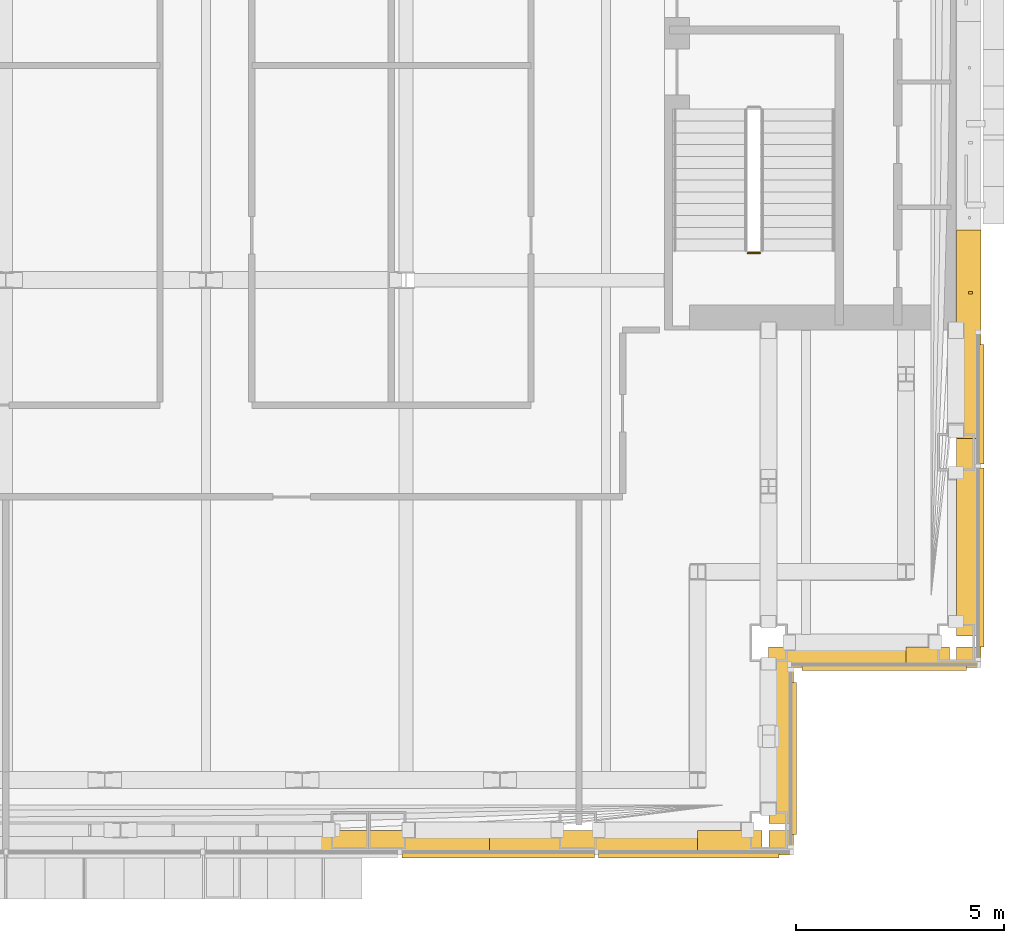
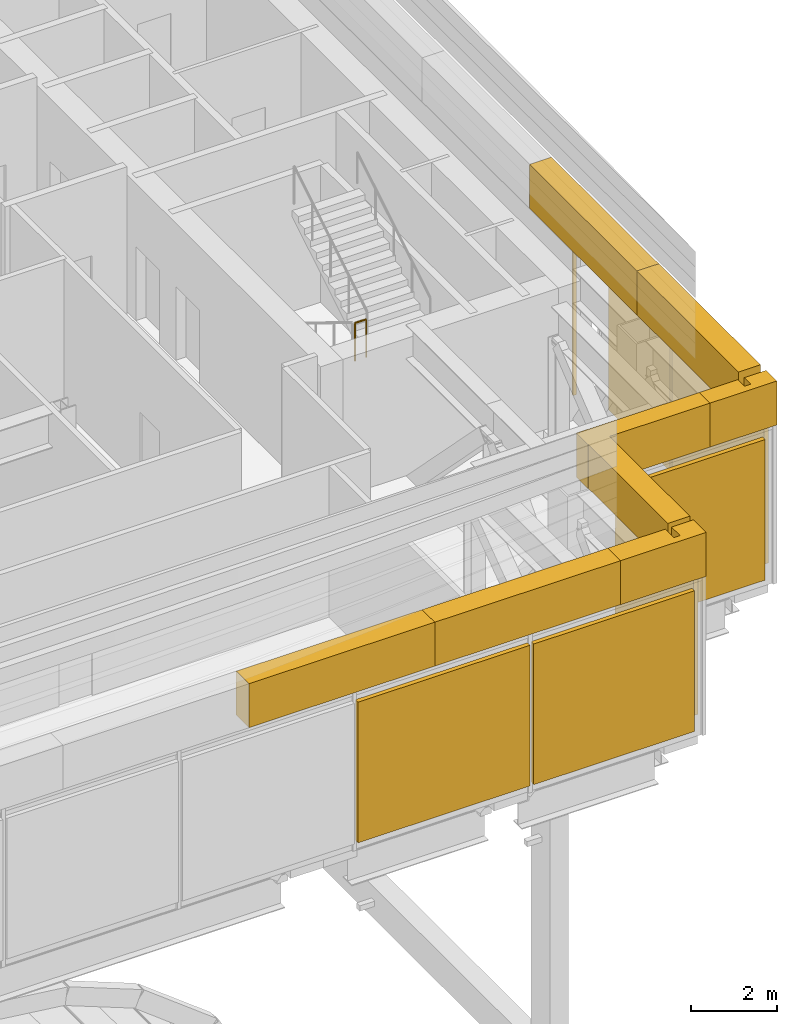
# One storey, part 26 of 38: 14 coverings, 1 railing.
"""IFC4 building model written with IfcOpenShell, lengths in metres."""

from ifc_helpers import new_model, si_unit, direction, frame, origin, origin_2d, place, context, subcontext, project, spatial, polyline, rectangle, circle, outline, extrude, material, type_object, element, save


model = new_model("IFC4")

# Units and contexts
model_context = context("Model", 3, precision=1e-05, world=origin(), true_north=direction((0.0, 1.0)))
body_context = subcontext(model_context, "Body", "Model", "MODEL_VIEW")
ifc_project = project(units=[si_unit("LENGTHUNIT", "METRE"), si_unit("AREAUNIT", "SQUARE_METRE"), si_unit("VOLUMEUNIT", "CUBIC_METRE"), si_unit("PLANEANGLEUNIT", "RADIAN"), si_unit("MASSUNIT", "GRAM", prefix="KILO")], contexts=[model_context])

# Site, building, storey
site_placement = place(None, origin())
site = spatial("IfcSite", under=ifc_project, at=site_placement, CompositionType="ELEMENT")
building_placement = place(site_placement, origin())
building = spatial("IfcBuilding", under=site, at=building_placement, Name="Cobrizo Arcos Hotel Tower", CompositionType="ELEMENT")
storey_placement = place(building_placement, frame((0.0, 0.0, 138.0)))
storey = spatial("IfcBuildingStorey", under=building, at=storey_placement, Name="L35", CompositionType="ELEMENT", Elevation=138.0)

# Coverings
ifc_material_1 = material(Name="Aluminium 6063-T6 anodised pale", Category="aluminium")
covering_type_1 = type_object("IfcCoveringType", Name="LF-1 setback skirt", PredefinedType="CLADDING", material=ifc_material_1)
covering_1_placement = place(storey_placement, frame((0.0, 0.0, 4.5)))
element("IfcCovering", 1, at=covering_1_placement, inside=storey, type_object=covering_type_1, Name="Setback skirt L35", PredefinedType="CLADDING", context=body_context, shape_type="SweptSolid", body=[
    extrude(outline(polyline([(11.60009765625, -22.81005859375), (6.60009765625, -22.81005859375), (6.60009765625, -23.39990234375), (11.60009765625, -23.39990234375), (11.60009765625, -22.81005859375)])), origin(), (0.0, 0.0, 1.0), 1.25),
])
covering_2_placement = place(storey_placement, frame((0.0, 0.0, 4.5)))
element("IfcCovering", 2, at=covering_2_placement, inside=storey, type_object=covering_type_1, Name="Setback skirt L35", PredefinedType="CLADDING", context=body_context, shape_type="SweptSolid", body=[
    extrude(outline(polyline([(16.60009765625, -22.81005859375), (11.60009765625, -22.81005859375), (11.60009765625, -23.39990234375), (16.60009765625, -23.39990234375), (16.60009765625, -22.81005859375)])), origin(), (0.0, 0.0, 1.0), 1.25),
])
covering_3_placement = place(storey_placement, frame((0.0, 0.0, 4.5)))
element("IfcCovering", 3, at=covering_3_placement, inside=storey, type_object=covering_type_1, Name="Setback skirt L35", PredefinedType="CLADDING", context=body_context, shape_type="SweptSolid", body=[
    extrude(outline(polyline([(18.300048828125, -18.39990234375), (18.300048828125, -18.93310546875), (18.308349609375, -18.9443359375), (18.308837890625, -18.9453125), (18.30908203125, -18.9462890625), (18.3095703125, -18.947021484375), (18.309814453125, -18.947998046875), (18.31005859375, -18.948974609375), (18.31005859375, -18.949951171875), (18.31005859375, -22.639892578125), (18.89990234375, -22.639892578125), (18.89990234375, -18.89990234375), (21.60009765625, -18.89990234375), (21.60009765625, -18.39990234375), (18.300048828125, -18.39990234375)])), origin(), (0.0, 0.0, 1.0), 1.25),
])
covering_4_placement = place(storey_placement, frame((0.0, 0.0, 4.5)))
element("IfcCovering", 4, at=covering_4_placement, inside=storey, type_object=covering_type_1, Name="Setback skirt L35", PredefinedType="CLADDING", context=body_context, shape_type="SweptSolid", body=[
    extrude(outline(polyline([(18.139892578125, -22.81005859375), (16.60009765625, -22.81005859375), (16.60009765625, -23.39990234375), (18.89990234375, -23.39990234375), (18.89990234375, -22.81005859375), (18.31005859375, -22.81005859375), (18.31005859375, -23.199951171875), (18.31005859375, -23.200927734375), (18.309814453125, -23.201904296875), (18.3095703125, -23.202880859375), (18.30908203125, -23.203857421875), (18.308837890625, -23.20458984375), (18.308349609375, -23.20556640625), (18.3076171875, -23.206298828125), (18.30712890625, -23.20703125), (18.306396484375, -23.207763671875), (18.3056640625, -23.208251953125), (18.3046875, -23.208740234375), (18.3037109375, -23.209228515625), (18.302978515625, -23.209716796875), (18.302001953125, -23.209716796875), (18.301025390625, -23.2099609375), (18.300048828125, -23.2099609375), (18.14990234375, -23.2099609375), (18.14892578125, -23.2099609375), (18.14794921875, -23.209716796875), (18.147216796875, -23.209716796875), (18.146240234375, -23.209228515625), (18.145263671875, -23.208740234375), (18.144287109375, -23.208251953125), (18.143798828125, -23.207763671875), (18.142822265625, -23.20703125), (18.142333984375, -23.206298828125), (18.1416015625, -23.20556640625), (18.14111328125, -23.20458984375), (18.140869140625, -23.203857421875), (18.140380859375, -23.202880859375), (18.14013671875, -23.201904296875), (18.139892578125, -23.200927734375), (18.139892578125, -23.199951171875), (18.139892578125, -22.81005859375)])), origin(), (0.0, 0.0, 1.0), 1.25),
])
covering_5_placement = place(storey_placement, frame((0.0, 0.0, 4.5)))
element("IfcCovering", 5, at=covering_5_placement, inside=storey, type_object=covering_type_1, Name="Setback skirt L35", PredefinedType="CLADDING", context=body_context, shape_type="SweptSolid", body=[
    extrude(outline(polyline([(22.639892578125, -18.699951171875), (22.639892578125, -18.39990234375), (21.60009765625, -18.39990234375), (21.60009765625, -18.89990234375), (23.39990234375, -18.89990234375), (23.39990234375, -18.39990234375), (22.81005859375, -18.39990234375), (22.81005859375, -18.699951171875), (22.81005859375, -18.700927734375), (22.809814453125, -18.701904296875), (22.8095703125, -18.702880859375), (22.80908203125, -18.703857421875), (22.808837890625, -18.70458984375), (22.808349609375, -18.70556640625), (22.8076171875, -18.706298828125), (22.80712890625, -18.70703125), (22.806396484375, -18.707763671875), (22.8056640625, -18.708251953125), (22.8046875, -18.708740234375), (22.8037109375, -18.709228515625), (22.802978515625, -18.709716796875), (22.802001953125, -18.709716796875), (22.801025390625, -18.7099609375), (22.800048828125, -18.7099609375), (22.64990234375, -18.7099609375), (22.64892578125, -18.7099609375), (22.64794921875, -18.709716796875), (22.647216796875, -18.709716796875), (22.646240234375, -18.709228515625), (22.645263671875, -18.708740234375), (22.644287109375, -18.708251953125), (22.643798828125, -18.707763671875), (22.642822265625, -18.70703125), (22.642333984375, -18.706298828125), (22.6416015625, -18.70556640625), (22.64111328125, -18.70458984375), (22.640869140625, -18.703857421875), (22.640380859375, -18.702880859375), (22.64013671875, -18.701904296875), (22.639892578125, -18.700927734375), (22.639892578125, -18.699951171875)])), origin(), (0.0, 0.0, 1.0), 1.25),
])
covering_6_placement = place(storey_placement, frame((0.0, 0.0, 4.5)))
element("IfcCovering", 6, at=covering_6_placement, inside=storey, type_object=covering_type_1, Name="Setback skirt L35", PredefinedType="CLADDING", context=body_context, shape_type="SweptSolid", body=[
    extrude(outline(polyline([(22.81005859375, -13.39990234375), (22.81005859375, -18.139892578125), (23.39990234375, -18.139892578125), (23.39990234375, -13.39990234375), (22.81005859375, -13.39990234375)])), origin(), (0.0, 0.0, 1.0), 1.25),
])
covering_7_placement = place(storey_placement, frame((0.0, 0.0, 4.5)))
element("IfcCovering", 7, at=covering_7_placement, inside=storey, type_object=covering_type_1, Name="Setback skirt L35", PredefinedType="CLADDING", context=body_context, shape_type="SweptSolid", body=[
    extrude(outline(polyline([(22.81005859375, -8.39990234375), (22.81005859375, -13.39990234375), (23.39990234375, -13.39990234375), (23.39990234375, -8.39990234375), (22.81005859375, -8.39990234375)])), origin(), (0.0, 0.0, 1.0), 1.25),
])
ifc_material_2 = material(Name="Aluminium 6063-T6 anodised bronze", Category="aluminium")
covering_type_2 = type_object("IfcCoveringType", Name="LV-1 plant louvre band", PredefinedType="CLADDING", material=ifc_material_2)
covering_8_placement = place(storey_placement, frame((11.8125, -23.405029296875, 0.25), z_axis=(0.0, 0.0, 1.0), x_axis=(1.0, 0.0, 0.0)))
element("IfcCovering", 8, at=covering_8_placement, inside=storey, type_object=covering_type_2, Name="louvre band 1281", PredefinedType="CLADDING", context=body_context, shape_type="SweptSolid", body=[
    extrude(rectangle(XDim=4.625, YDim=0.1201171875, at=origin_2d()), origin(), (0.0, 0.0, 1.0), 4.0),
])
covering_9_placement = place(storey_placement, frame((16.387451171875, -23.405029296875, 0.25), z_axis=(0.0, 0.0, 1.0), x_axis=(1.0, 0.0, 0.0)))
element("IfcCovering", 9, at=covering_9_placement, inside=storey, type_object=covering_type_2, Name="louvre band 1282", PredefinedType="CLADDING", context=body_context, shape_type="SweptSolid", body=[
    extrude(rectangle(XDim=4.324951171875, YDim=0.1201171875, at=origin_2d()), origin(), (0.0, 0.0, 1.0), 4.0),
])
covering_10_placement = place(storey_placement, frame((18.905029296875, -21.074951171875, 0.25), z_axis=(0.0, 0.0, 1.0), x_axis=(0.0, 1.0, 0.0)))
element("IfcCovering", 10, at=covering_10_placement, inside=storey, type_object=covering_type_2, Name="louvre band 1283", PredefinedType="CLADDING", context=body_context, shape_type="SweptSolid", body=[
    extrude(rectangle(XDim=3.64990234375, YDim=0.1201171875, at=origin_2d()), origin(), (0.0, 0.0, 1.0), 4.0),
])
covering_11_placement = place(storey_placement, frame((21.074951171875, -18.905029296875, 0.25), z_axis=(0.0, 0.0, 1.0), x_axis=(1.0, 0.0, 0.0)))
element("IfcCovering", 11, at=covering_11_placement, inside=storey, type_object=covering_type_2, Name="louvre band 1284", PredefinedType="CLADDING", context=body_context, shape_type="SweptSolid", body=[
    extrude(rectangle(XDim=3.949951171875, YDim=0.1201171875, at=origin_2d()), origin(), (0.0, 0.0, 1.0), 4.0),
])
covering_12_placement = place(storey_placement, frame((23.405029296875, -16.25634765625, 0.25), z_axis=(0.0, 0.0, 1.0), x_axis=(0.0, 1.0, 0.0)))
element("IfcCovering", 12, at=covering_12_placement, inside=storey, type_object=covering_type_2, Name="louvre band 1285", PredefinedType="CLADDING", context=body_context, shape_type="SweptSolid", body=[
    extrude(rectangle(XDim=4.28759765625, YDim=0.1201171875, at=origin_2d()), origin(), (0.0, 0.0, 1.0), 4.0),
])
covering_13_placement = place(storey_placement, frame((23.405029296875, -12.581298828125, 0.25), z_axis=(0.0, 0.0, 1.0), x_axis=(0.0, 1.0, 0.0)))
element("IfcCovering", 13, at=covering_13_placement, inside=storey, type_object=covering_type_2, Name="louvre band 1286", PredefinedType="CLADDING", context=body_context, shape_type="SweptSolid", body=[
    extrude(rectangle(XDim=2.862548828125, YDim=0.1201171875, at=origin_2d()), origin(), (0.0, 0.0, 1.0), 4.0),
])
covering_type_3 = type_object("IfcCoveringType", Name="RS-1 rainscreen rib 60x90", PredefinedType="CLADDING", material=ifc_material_1)
covering_14_placement = place(storey_placement, frame((23.14501953125, -9.89990234375, 0.0), z_axis=(0.0, 0.0, 1.0), x_axis=(0.0, 1.0, 0.0)))
element("IfcCovering", 14, at=covering_14_placement, inside=storey, type_object=covering_type_3, Name="Rainscreen rib 41", PredefinedType="CLADDING", context=body_context, shape_type="SweptSolid", body=[
    extrude(rectangle(XDim=0.06005859375, YDim=0.090087890625, at=origin_2d()), origin(), (0.0, 0.0, 1.0), 4.5),
])

# Railing
ifc_material_3 = material(Name="Stainless steel railing", Category="steel")
railing_type = type_object("IfcRailingType", Name="Stair guard 1100", PredefinedType="GUARDRAIL", material=ifc_material_3)
railing_placement = place(storey_placement, frame((17.800048828125, -8.949951171875, 2.25)))
element("IfcRailing", 15, at=railing_placement, inside=storey, type_object=railing_type, Name="L35 ST-E stair guard 2", PredefinedType="GUARDRAIL", context=body_context, shape_type="SweptSolid", body=[
    extrude(circle(Radius=0.02392578125, at=origin_2d()), frame((0.0, 0.0, 1.076171875), z_axis=(1.0, 0.0, 0.0), x_axis=(0.0, 1.0, 0.0)), (0.0, 0.0, 1.0), 0.300048828125),
    extrude(circle(Radius=0.02099609375, at=origin_2d()), origin(), (0.0, 0.0, 1.0), 1.052001953125),
    extrude(circle(Radius=0.02099609375, at=origin_2d()), frame((0.300048828125, 0.0, 0.0)), (0.0, 0.0, 1.0), 1.052001953125),
])

save(model, "model.ifc")
